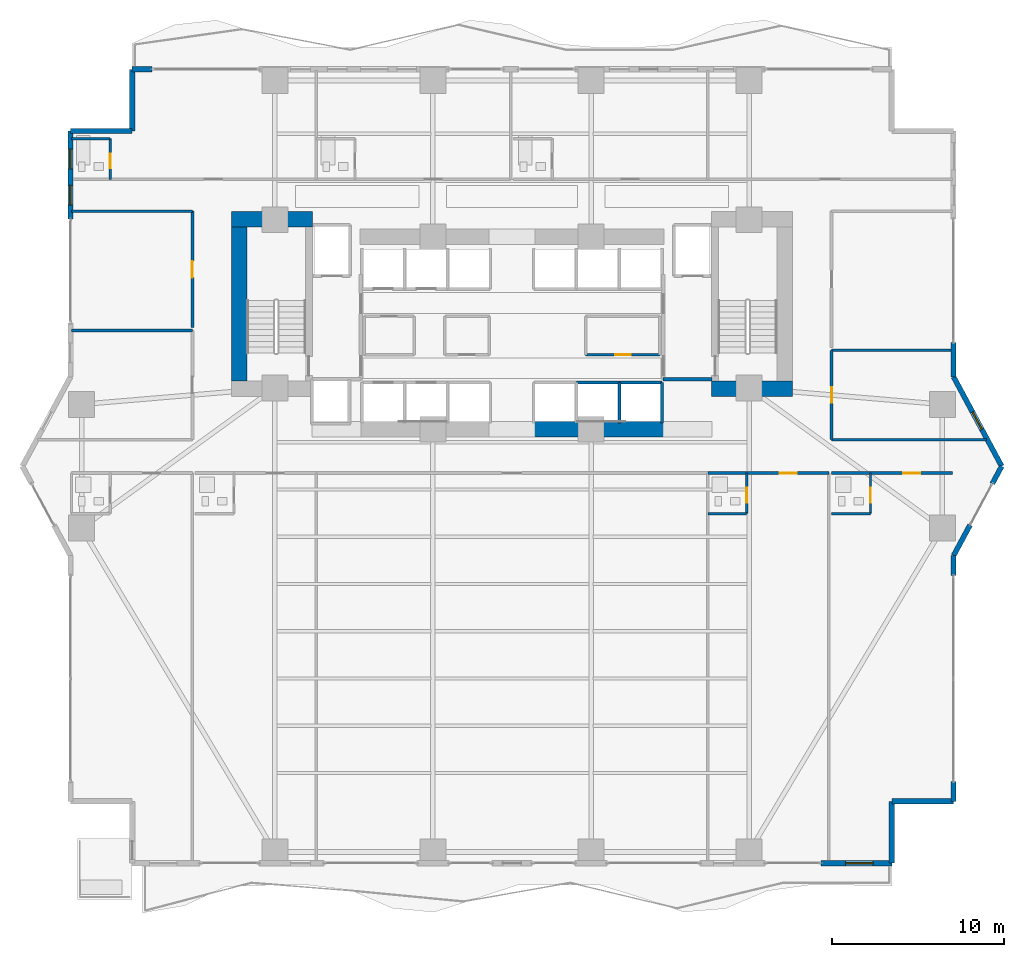
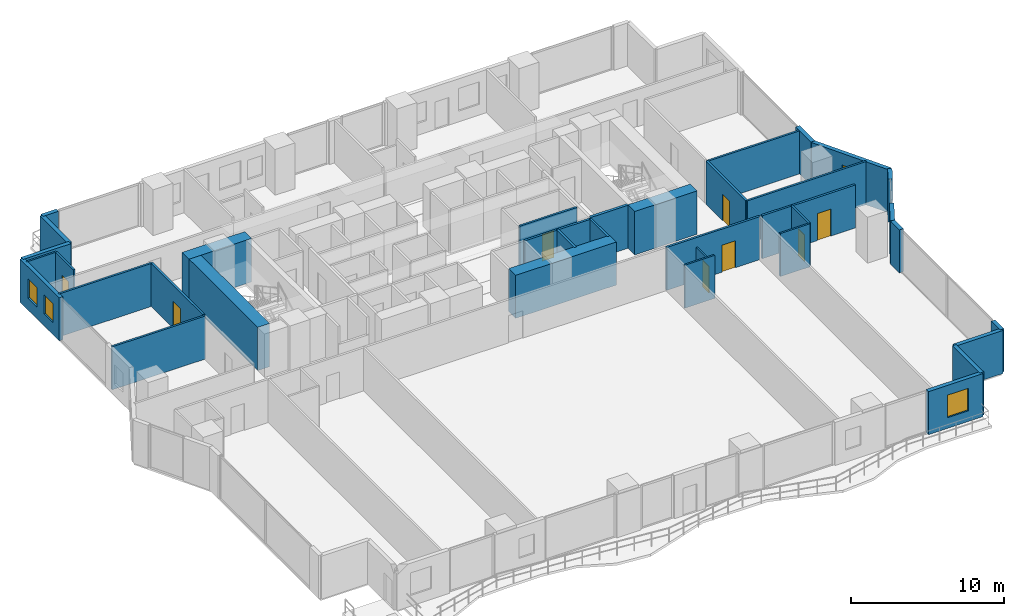
# One storey, part 20 of 28: 37 walls, 8 doors, 4 windows, 12 openings.
"""IFC4 building model written with IfcOpenShell, lengths in metres."""

from ifc_helpers import new_model, si_unit, direction, frame, frame_2d, origin, place, context, subcontext, project, spatial, rectangle, extrude, material, layer, layer_set, type_object, element, fill, save


model = new_model("IFC4")

# Units and contexts
model_context = context("Model", 3, precision=1e-05, world=origin(), true_north=direction((0.0, 1.0)))
body_context = subcontext(model_context, "Body", "Model", "MODEL_VIEW")
ifc_project = project(units=[si_unit("LENGTHUNIT", "METRE"), si_unit("AREAUNIT", "SQUARE_METRE"), si_unit("VOLUMEUNIT", "CUBIC_METRE"), si_unit("PLANEANGLEUNIT", "RADIAN"), si_unit("MASSUNIT", "GRAM", prefix="KILO")], contexts=[model_context])

# Site, building, storey
site_placement = place(None, origin())
site = spatial("IfcSite", under=ifc_project, at=site_placement, CompositionType="ELEMENT")
building_placement = place(site_placement, origin())
building = spatial("IfcBuilding", under=site, at=building_placement, Name="Zuhayl Quay Hotel", CompositionType="ELEMENT")
storey_placement = place(building_placement, frame((0.0, 0.0, 71.39990234375)))
storey = spatial("IfcBuildingStorey", under=building, at=storey_placement, Name="L17", CompositionType="ELEMENT", Elevation=71.39990234375)

# Walls
ifc_material_1 = material(Name="Concrete C70/85", Category="concrete")
ifc_layer_1 = layer(ifc_material_1, 0.89990234375, Name="Concrete C70/85", Category="concrete")
ifc_layer_set_1 = layer_set([ifc_layer_1], Name="Concrete C70/85")
wall_type_1 = type_object("IfcWallType", Name="WL_CORE_900", PredefinedType="SHEAR", material=ifc_layer_set_1)
wall_1_placement = place(storey_placement, frame((-16.31005859375, 14.3798828125, 0.0), z_axis=(0.0, 0.0, 1.0), x_axis=(1.0, 0.0, 0.0)))
element("IfcWall", 1, at=wall_1_placement, inside=storey, type_object=wall_type_1, Name="L17 Core Shear Wall CW_NW", PredefinedType="SHEAR", context=body_context, shape_type="SweptSolid", body=[
    extrude(rectangle(XDim=4.7099609375, YDim=0.89990234375, at=frame_2d((2.35498046875, 0.0))), origin(), (0.0, 0.0, 1.0), 3.460205078125),
])
wall_2_placement = place(storey_placement, frame((-15.860107421875, 4.969970703125, 0.0), z_axis=(0.0, 0.0, 1.0), x_axis=(0.0, 1.0, 0.0)))
element("IfcWall", 2, at=wall_2_placement, inside=storey, type_object=wall_type_1, Name="L17 Core Shear Wall CW_W", PredefinedType="SHEAR", context=body_context, shape_type="SweptSolid", body=[
    extrude(rectangle(XDim=8.9599609375, YDim=0.89990234375, at=frame_2d((4.47998046875, 0.0))), origin(), (0.0, 0.0, 1.0), 3.460205078125),
])
wall_3_placement = place(storey_placement, frame((11.60009765625, 4.52001953125, 0.0), z_axis=(0.0, 0.0, 1.0), x_axis=(1.0, 0.0, 0.0)))
element("IfcWall", 3, at=wall_3_placement, inside=storey, type_object=wall_type_1, Name="L17 Core Shear Wall CW_SE", PredefinedType="SHEAR", context=body_context, shape_type="SweptSolid", body=[
    extrude(rectangle(XDim=4.7099609375, YDim=0.89990234375, at=frame_2d((2.35498046875, 0.0))), origin(), (0.0, 0.0, 1.0), 3.460205078125),
])
wall_4_placement = place(storey_placement, frame((1.25, 2.14990234375, 0.0), z_axis=(0.0, 0.0, 1.0), x_axis=(1.0, 0.0, 0.0)))
element("IfcWall", 4, at=wall_4_placement, inside=storey, type_object=wall_type_1, Name="L17 Core Shear Wall CW_SC_E", PredefinedType="SHEAR", context=body_context, shape_type="SweptSolid", body=[
    extrude(rectangle(XDim=7.60009765625, YDim=0.89990234375, at=frame_2d((3.800048828125, 0.0))), origin(), (0.0, 0.0, 1.0), 3.43017578125),
])

# Wall, openings, windows
ifc_material_2 = material(Name="Precast concrete C45/55", Category="concrete")
ifc_layer_2 = layer(ifc_material_2, 0.300048828125, Name="Precast concrete C45/55", Category="concrete")
ifc_layer_set_2 = layer_set([ifc_layer_2], Name="Precast concrete C45/55")
wall_type_2 = type_object("IfcWallType", Name="WL_EXT_300", PredefinedType="STANDARD", material=ifc_layer_set_2)
wall_5_placement = place(storey_placement, frame((-25.699951171875, 14.39990234375, 0.0), z_axis=(0.0, 0.0, 1.0), x_axis=(0.0, 1.0, 0.0)))
wall_5 = element("IfcWall", 5, at=wall_5_placement, inside=storey, type_object=wall_type_2, Name="L17 Exterior Precast Wall ENV_L17_E05_EW2", PredefinedType="STANDARD", context=body_context, shape_type="SweptSolid", body=[
    extrude(rectangle(XDim=5.10009765625, YDim=0.300048828125, at=frame_2d((2.550048828125, 0.0))), origin(), (0.0, 0.0, 1.0), 3.43017578125),
])
opening_1_placement = place(wall_5_placement, frame((0.800048828125, 0.0, 0.949951171875)))
opening_1 = element("IfcOpeningElement", 6, at=opening_1_placement, cuts=wall_5, Name="Opening W01N", PredefinedType="OPENING", context=body_context, shape_type="SweptSolid", body=[
    extrude(rectangle(XDim=1.14990234375, YDim=1.550048828125, at=frame_2d((0.574951171875, 0.77490234375))), frame((0.0, 0.159912109375, 0.0), z_axis=(0.0, -1.0, 0.0), x_axis=(1.0, 0.0, 0.0)), (0.0, 0.0, 1.0), 0.320068359375),
])
opening_2_placement = place(wall_5_placement, frame((2.905029296875, 0.0, 0.949951171875)))
opening_2 = element("IfcOpeningElement", 7, at=opening_2_placement, cuts=wall_5, Name="Opening W01N", PredefinedType="OPENING", context=body_context, shape_type="SweptSolid", body=[
    extrude(rectangle(XDim=1.14990234375, YDim=1.550048828125, at=frame_2d((0.574951171875, 0.77490234375))), frame((0.0, 0.159912109375, 0.0), z_axis=(0.0, -1.0, 0.0), x_axis=(1.0, 0.0, 0.0)), (0.0, 0.0, 1.0), 0.320068359375),
])
ifc_material_3 = material(Name="Dark Ceramic-Fritted Solar Glass", Category="glass")
window_type_1 = type_object("IfcWindowType", Name="WN_NOTCH_1350", PartitioningType="SINGLE_PANEL", PredefinedType="WINDOW", material=ifc_material_3)
window_1_placement = place(opening_1_placement, origin())
window_1 = element("IfcWindow", 8, at=window_1_placement, inside=storey, type_object=window_type_1, Name="L17 Operable Facade Window 2-1", OverallHeight=1.550048828125, OverallWidth=1.14990234375, PartitioningType="SINGLE_PANEL", PredefinedType="WINDOW", context=body_context, shape_type="SweptSolid", body=[
    extrude(rectangle(XDim=1.14990234375, YDim=1.550048828125, at=frame_2d((0.574951171875, 0.77490234375))), frame((0.0, 0.030029296875, 0.0), z_axis=(0.0, -1.0, 0.0), x_axis=(1.0, 0.0, 0.0)), (0.0, 0.0, 1.0), 0.06005859375),
])
fill(opening_1, window_1)
window_2_placement = place(opening_2_placement, origin())
window_2 = element("IfcWindow", 9, at=window_2_placement, inside=storey, type_object=window_type_1, Name="L17 Operable Facade Window 2-2", OverallHeight=1.550048828125, OverallWidth=1.14990234375, PartitioningType="SINGLE_PANEL", PredefinedType="WINDOW", context=body_context, shape_type="SweptSolid", body=[
    extrude(rectangle(XDim=1.14990234375, YDim=1.550048828125, at=frame_2d((0.574951171875, 0.77490234375))), frame((0.0, 0.030029296875, 0.0), z_axis=(0.0, -1.0, 0.0), x_axis=(1.0, 0.0, 0.0)), (0.0, 0.0, 1.0), 0.06005859375),
])
fill(opening_2, window_2)

# Walls
wall_6_placement = place(storey_placement, frame((-25.699951171875, 19.5, 0.0), z_axis=(0.0, 0.0, 1.0), x_axis=(1.0, 0.0, 0.0)))
element("IfcWall", 10, at=wall_6_placement, inside=storey, type_object=wall_type_2, Name="L17 Exterior Precast Wall ENV_L17_EW06", PredefinedType="STANDARD", context=body_context, shape_type="SweptSolid", body=[
    extrude(rectangle(XDim=3.599853515625, YDim=0.300048828125, at=frame_2d((1.7998046875, 0.0))), origin(), (0.0, 0.0, 1.0), 3.43017578125),
])
wall_7_placement = place(storey_placement, frame((-22.10009765625, 19.5, 0.0), z_axis=(0.0, 0.0, 1.0), x_axis=(0.0, 1.0, 0.0)))
element("IfcWall", 11, at=wall_7_placement, inside=storey, type_object=wall_type_2, Name="L17 Exterior Precast Wall ENV_L17_EW07", PredefinedType="STANDARD", context=body_context, shape_type="SweptSolid", body=[
    extrude(rectangle(XDim=3.60009765625, YDim=0.300048828125, at=frame_2d((1.800048828125, 0.0))), origin(), (0.0, 0.0, 1.0), 3.43017578125),
])
wall_8_placement = place(storey_placement, frame((-22.10009765625, 23.10009765625, 0.0), z_axis=(0.0, 0.0, 1.0), x_axis=(1.0, 0.0, 0.0)))
element("IfcWall", 12, at=wall_8_placement, inside=storey, type_object=wall_type_2, Name="L17 Exterior Precast Wall ENV_L17_N_EW1", PredefinedType="STANDARD", context=body_context, shape_type="SweptSolid", body=[
    extrude(rectangle(XDim=1.150146484375, YDim=0.300048828125, at=frame_2d((0.5751953125, 0.0))), origin(), (0.0, 0.0, 1.0), 3.43017578125),
])
wall_9_placement = place(storey_placement, frame((25.699951171875, 7.199951171875, 0.0), z_axis=(0.0, 0.0, 1.0), x_axis=(0.0, -1.0, 0.0)))
element("IfcWall", 13, at=wall_9_placement, inside=storey, type_object=wall_type_2, Name="L17 Exterior Precast Wall ENV_L17_E11_EW2", PredefinedType="STANDARD", context=body_context, shape_type="SweptSolid", body=[
    extrude(rectangle(XDim=2.0, YDim=0.300048828125, at=frame_2d((1.0, 0.0))), origin(), (0.0, 0.0, 1.0), 3.43017578125),
])

# Wall, opening, window
wall_10_placement = place(storey_placement, frame((25.699951171875, 5.199951171875, 0.0), z_axis=(0.0, 0.0, 1.0), x_axis=(0.474109683532, -0.880465790352, 0.0)))
wall_10 = element("IfcWall", 14, at=wall_10_placement, inside=storey, type_object=wall_type_2, Name="L17 Exterior Precast Wall ENV_L17_E12_EW1", PredefinedType="STANDARD", context=body_context, shape_type="SweptSolid", body=[
    extrude(rectangle(XDim=5.906005859375, YDim=0.300048828125, at=frame_2d((2.953125, 0.0))), origin(), (0.0, 0.0, 1.0), 3.43017578125),
])
opening_3_placement = place(wall_10_placement, frame((2.32373046875, 0.0, 0.949951171875)))
opening_3 = element("IfcOpeningElement", 15, at=opening_3_placement, cuts=wall_10, Name="Opening W01N", PredefinedType="OPENING", context=body_context, shape_type="SweptSolid", body=[
    extrude(rectangle(XDim=1.14990234375, YDim=1.550048828125, at=frame_2d((0.574951171875, 0.77490234375))), frame((0.0, 0.159912109375, 0.0), z_axis=(0.0, -1.0, 0.0), x_axis=(1.0, 0.0, 0.0)), (0.0, 0.0, 1.0), 0.320068359375),
])
window_3_placement = place(opening_3_placement, origin())
window_3 = element("IfcWindow", 16, at=window_3_placement, inside=storey, type_object=window_type_1, Name="L17 Operable Facade Window 1-1", OverallHeight=1.550048828125, OverallWidth=1.14990234375, PartitioningType="SINGLE_PANEL", PredefinedType="WINDOW", context=body_context, shape_type="SweptSolid", body=[
    extrude(rectangle(XDim=1.14990234375, YDim=1.550048828125, at=frame_2d((0.574951171875, 0.77490234375))), frame((0.0, 0.030029296875, 0.0), z_axis=(0.0, -1.0, 0.0), x_axis=(1.0, 0.0, 0.0)), (0.0, 0.0, 1.0), 0.06005859375),
])
fill(opening_3, window_3)

# Walls
wall_11_placement = place(storey_placement, frame((28.5, 0.0, 0.0), z_axis=(0.0, 0.0, 1.0), x_axis=(-0.474099823035, -0.880471099922, 0.0)))
element("IfcWall", 17, at=wall_11_placement, inside=storey, type_object=wall_type_2, Name="L17 Exterior Precast Wall ENV_L17_E13_EW1", PredefinedType="STANDARD", context=body_context, shape_type="SweptSolid", body=[
    extrude(rectangle(XDim=1.14990234375, YDim=0.300048828125, at=frame_2d((0.574951171875, 0.0))), origin(), (0.0, 0.0, 1.0), 3.43017578125),
])
wall_12_placement = place(storey_placement, frame((26.657958984375, -3.4208984375, 0.0), z_axis=(0.0, 0.0, 1.0), x_axis=(-0.474121438562, -0.88045946045, 0.0)))
element("IfcWall", 18, at=wall_12_placement, inside=storey, type_object=wall_type_2, Name="L17 Exterior Precast Wall ENV_L17_E13_EW2", PredefinedType="STANDARD", context=body_context, shape_type="SweptSolid", body=[
    extrude(rectangle(XDim=2.0205078125, YDim=0.300048828125, at=frame_2d((1.01025390625, 0.0))), origin(), (0.0, 0.0, 1.0), 3.43017578125),
])
wall_13_placement = place(storey_placement, frame((25.699951171875, -5.199951171875, 0.0), z_axis=(0.0, 0.0, 1.0), x_axis=(0.0, -1.0, 0.0)))
element("IfcWall", 19, at=wall_13_placement, inside=storey, type_object=wall_type_2, Name="L17 Exterior Precast Wall ENV_L17_E14_EW1", PredefinedType="STANDARD", context=body_context, shape_type="SweptSolid", body=[
    extrude(rectangle(XDim=1.150146484375, YDim=0.300048828125, at=frame_2d((0.5751953125, 0.0))), origin(), (0.0, 0.0, 1.0), 3.43017578125),
])
wall_14_placement = place(storey_placement, frame((25.699951171875, -18.35009765625, 0.0), z_axis=(0.0, 0.0, 1.0), x_axis=(0.0, -1.0, 0.0)))
element("IfcWall", 20, at=wall_14_placement, inside=storey, type_object=wall_type_2, Name="L17 Exterior Precast Wall ENV_L17_E14_EW2", PredefinedType="STANDARD", context=body_context, shape_type="SweptSolid", body=[
    extrude(rectangle(XDim=1.14990234375, YDim=0.300048828125, at=frame_2d((0.574951171875, 0.0))), origin(), (0.0, 0.0, 1.0), 3.43017578125),
])
wall_15_placement = place(storey_placement, frame((25.699951171875, -19.5, 0.0), z_axis=(0.0, 0.0, 1.0), x_axis=(-1.0, 0.0, 0.0)))
element("IfcWall", 21, at=wall_15_placement, inside=storey, type_object=wall_type_2, Name="L17 Exterior Precast Wall ENV_L17_EW15", PredefinedType="STANDARD", context=body_context, shape_type="SweptSolid", body=[
    extrude(rectangle(XDim=3.599853515625, YDim=0.300048828125, at=frame_2d((1.7998046875, 0.0))), origin(), (0.0, 0.0, 1.0), 3.43017578125),
])
wall_16_placement = place(storey_placement, frame((22.10009765625, -19.5, 0.0), z_axis=(0.0, 0.0, 1.0), x_axis=(0.0, -1.0, 0.0)))
element("IfcWall", 22, at=wall_16_placement, inside=storey, type_object=wall_type_2, Name="L17 Exterior Precast Wall ENV_L17_EW16", PredefinedType="STANDARD", context=body_context, shape_type="SweptSolid", body=[
    extrude(rectangle(XDim=3.60009765625, YDim=0.300048828125, at=frame_2d((1.800048828125, 0.0))), origin(), (0.0, 0.0, 1.0), 3.43017578125),
])

# Wall, opening, window
wall_17_placement = place(storey_placement, frame((22.10009765625, -23.10009765625, 0.0), z_axis=(0.0, 0.0, 1.0), x_axis=(-1.0, 0.0, 0.0)))
wall_17 = element("IfcWall", 23, at=wall_17_placement, inside=storey, type_object=wall_type_2, Name="L17 Exterior Precast Wall ENV_L17_S_EW1", PredefinedType="STANDARD", context=body_context, shape_type="SweptSolid", body=[
    extrude(rectangle(XDim=4.110107421875, YDim=0.300048828125, at=frame_2d((2.05517578125, 0.0))), origin(), (0.0, 0.0, 1.0), 3.43017578125),
])
opening_4_placement = place(wall_17_placement, frame((1.090087890625, 0.0, 0.85009765625)))
opening_4 = element("IfcOpeningElement", 24, at=opening_4_placement, cuts=wall_17, Name="Opening W01", PredefinedType="OPENING", context=body_context, shape_type="SweptSolid", body=[
    extrude(rectangle(XDim=1.60009765625, YDim=1.800048828125, at=frame_2d((0.800048828125, 0.89990234375))), frame((0.0, 0.159912109375, 0.0), z_axis=(0.0, -1.0, 0.0), x_axis=(1.0, 0.0, 0.0)), (0.0, 0.0, 1.0), 0.320068359375),
])
window_type_2 = type_object("IfcWindowType", Name="WN_OPERABLE_1600", PartitioningType="DOUBLE_PANEL_VERTICAL", PredefinedType="WINDOW", material=ifc_material_3)
window_4_placement = place(opening_4_placement, origin())
window_4 = element("IfcWindow", 25, at=window_4_placement, inside=storey, type_object=window_type_2, Name="L17 Operable Facade Window 1-1", OverallHeight=1.800048828125, OverallWidth=1.60009765625, PartitioningType="SINGLE_PANEL", PredefinedType="WINDOW", context=body_context, shape_type="SweptSolid", body=[
    extrude(rectangle(XDim=1.60009765625, YDim=1.800048828125, at=frame_2d((0.800048828125, 0.89990234375))), frame((0.0, 0.030029296875, 0.0), z_axis=(0.0, -1.0, 0.0), x_axis=(1.0, 0.0, 0.0)), (0.0, 0.0, 1.0), 0.06005859375),
])
fill(opening_4, window_4)

# Wall, opening, door
ifc_material_4 = material(Name="Acoustic Gypsum Partition STC-58")
ifc_layer_3 = layer(ifc_material_4, 0.14990234375, Name="Acoustic Gypsum Partition STC-58")
ifc_layer_set_3 = layer_set([ifc_layer_3], Name="Acoustic Gypsum Partition STC-58")
wall_type_3 = type_object("IfcWallType", Name="WL_PART_150", PredefinedType="PARTITIONING", material=ifc_layer_set_3)
wall_18_placement = place(storey_placement, frame((4.2900390625, 6.47998046875, 0.0), z_axis=(0.0, 0.0, 1.0), x_axis=(1.0, 0.0, 0.0)))
wall_18 = element("IfcWall", 26, at=wall_18_placement, inside=storey, type_object=wall_type_3, Name="L17 Partition IW_L17_CORE_VL_S", PredefinedType="PARTITIONING", context=body_context, shape_type="SweptSolid", body=[
    extrude(rectangle(XDim=4.320068359375, YDim=0.14990234375, at=frame_2d((2.16015625, 0.0))), origin(), (0.0, 0.0, 1.0), 3.43017578125),
])
opening_5_placement = place(wall_18_placement, frame((1.7099609375, 0.0, 0.0)))
opening_5 = element("IfcOpeningElement", 27, at=opening_5_placement, cuts=wall_18, Name="Opening D06", PredefinedType="OPENING", context=body_context, shape_type="SweptSolid", body=[
    extrude(rectangle(XDim=0.89990234375, YDim=2.14990234375, at=frame_2d((0.449951171875, 1.074951171875))), frame((0.0, 0.0849609375, 0.0), z_axis=(0.0, -1.0, 0.0), x_axis=(1.0, 0.0, 0.0)), (0.0, 0.0, 1.0), 0.169921875),
])
ifc_material_5 = material(Name="Steel ASTM A992 Grade 50", Category="steel")
door_type_1 = type_object("IfcDoorType", Name="DR_INT_900", OperationType="NOTDEFINED", PredefinedType="DOOR", material=ifc_material_5)
door_1_placement = place(opening_5_placement, origin())
door_1 = element("IfcDoor", 28, at=door_1_placement, inside=storey, type_object=door_type_1, Name="L17 Floor Valet Store Door", OperationType="SINGLE_SWING_RIGHT", OverallHeight=2.14990234375, OverallWidth=0.89990234375, PredefinedType="DOOR", context=body_context, shape_type="SweptSolid", body=[
    extrude(rectangle(XDim=0.89990234375, YDim=2.14990234375, at=frame_2d((0.449951171875, 1.074951171875))), frame((0.0, 0.02490234375, 0.0), z_axis=(0.0, -1.0, 0.0), x_axis=(1.0, 0.0, 0.0)), (0.0, 0.0, 1.0), 0.050048828125),
])
fill(opening_5, door_1)

# Walls
wall_19_placement = place(storey_placement, frame((18.60009765625, 1.550048828125, 0.0), z_axis=(0.0, 0.0, 1.0), x_axis=(1.0, 0.0, 0.0)))
element("IfcWall", 29, at=wall_19_placement, inside=storey, type_object=wall_type_3, Name="L17 Partition IW_L17_HK_MAIN_S", PredefinedType="PARTITIONING", context=body_context, shape_type="SweptSolid", body=[
    extrude(rectangle(XDim=9.00537109375, YDim=0.14990234375, at=frame_2d((4.502685546875, 0.0))), origin(), (0.0, 0.0, 1.0), 3.43017578125),
])
for number, where, z_axis, x_axis, name in (
    (30, (18.60009765625, 6.75, 0.0), (0.0, 0.0, 1.0), (1.0, 0.0, 0.0), "L17 Partition IW_L17_HK_MAIN_N"),
    (31, (-25.639892578125, 7.89990234375, 0.0), (0.0, 0.0, 1.0), (1.0, 0.0, 0.0), "L17 Partition IW_L17_WPROW_1_N"),
    (32, (-25.639892578125, 14.85009765625, 0.0), (0.0, 0.0, 1.0), (1.0, 0.0, 0.0), "L17 Partition IW_L17_WPROW_2_N"),
):
    element("IfcWall", number, at=place(storey_placement, frame(where, z_axis=z_axis, x_axis=x_axis)), inside=storey, type_object=wall_type_3, Name=name, PredefinedType="PARTITIONING", context=body_context, shape_type="SweptSolid", body=[
        extrude(rectangle(XDim=7.039794921875, YDim=0.14990234375, at=frame_2d((3.52001953125, 0.0))), origin(), (0.0, 0.0, 1.0), 3.43017578125),
    ])

# Wall, opening, door
ifc_layer_4 = layer(ifc_material_4, 0.159912109375, Name="Acoustic Gypsum Partition STC-58")
ifc_layer_set_4 = layer_set([ifc_layer_4], Name="Acoustic Gypsum Partition STC-58")
wall_type_4 = type_object("IfcWallType", Name="WL_PART_CORR_160", PredefinedType="PARTITIONING", material=ifc_layer_set_4)
wall_20_placement = place(storey_placement, frame((11.39990234375, -0.39990234375, 0.0), z_axis=(0.0, 0.0, 1.0), x_axis=(1.0, 0.0, 0.0)))
wall_20 = element("IfcWall", 33, at=wall_20_placement, inside=storey, type_object=wall_type_4, Name="L17 Partition IW_L17_SU03A_COR", PredefinedType="PARTITIONING", context=body_context, shape_type="SweptSolid", body=[
    extrude(rectangle(XDim=7.0400390625, YDim=0.159912109375, at=frame_2d((3.52001953125, 0.0))), origin(), (0.0, 0.0, 1.0), 3.43017578125),
])
opening_6_placement = place(wall_20_placement, frame((4.169921875, 0.0, 0.0)))
opening_6 = element("IfcOpeningElement", 34, at=opening_6_placement, cuts=wall_20, Name="Opening D03L", PredefinedType="OPENING", context=body_context, shape_type="SweptSolid", body=[
    extrude(rectangle(XDim=1.0, YDim=2.14990234375, at=frame_2d((0.5, 1.074951171875))), frame((0.0, 0.08984375, 0.0), z_axis=(0.0, -1.0, 0.0), x_axis=(1.0, 0.0, 0.0)), (0.0, 0.0, 1.0), 0.179931640625),
])
ifc_material_6 = material(Name="Solid Walnut Acoustic Fire Door")
door_type_2 = type_object("IfcDoorType", Name="DR_SUITE_1000", OperationType="NOTDEFINED", PredefinedType="DOOR", material=ifc_material_6)
door_2_placement = place(opening_6_placement, origin())
door_2 = element("IfcDoor", 35, at=door_2_placement, inside=storey, type_object=door_type_2, Name="L17 City-View Junior Suite L17-03A Entrance Door", OperationType="SINGLE_SWING_RIGHT", OverallHeight=2.14990234375, OverallWidth=1.0, PredefinedType="DOOR", context=body_context, shape_type="SweptSolid", body=[
    extrude(rectangle(XDim=1.0, YDim=2.14990234375, at=frame_2d((0.5, 1.074951171875))), frame((0.0, 0.02490234375, 0.0), z_axis=(0.0, -1.0, 0.0), x_axis=(1.0, 0.0, 0.0)), (0.0, 0.0, 1.0), 0.050048828125),
])
fill(opening_6, door_2)

wall_21_placement = place(storey_placement, frame((18.60009765625, -0.39990234375, 0.0), z_axis=(0.0, 0.0, 1.0), x_axis=(1.0, 0.0, 0.0)))
wall_21 = element("IfcWall", 36, at=wall_21_placement, inside=storey, type_object=wall_type_4, Name="L17 Partition IW_L17_SU03B_COR", PredefinedType="PARTITIONING", context=body_context, shape_type="SweptSolid", body=[
    extrude(rectangle(XDim=7.039794921875, YDim=0.159912109375, at=frame_2d((3.52001953125, 0.0))), origin(), (0.0, 0.0, 1.0), 3.43017578125),
])
opening_7_placement = place(wall_21_placement, frame((4.169921875, 0.0, 0.0)))
opening_7 = element("IfcOpeningElement", 37, at=opening_7_placement, cuts=wall_21, Name="Opening D03L", PredefinedType="OPENING", context=body_context, shape_type="SweptSolid", body=[
    extrude(rectangle(XDim=1.0, YDim=2.14990234375, at=frame_2d((0.5, 1.074951171875))), frame((0.0, 0.08984375, 0.0), z_axis=(0.0, -1.0, 0.0), x_axis=(1.0, 0.0, 0.0)), (0.0, 0.0, 1.0), 0.179931640625),
])
door_3_placement = place(opening_7_placement, origin())
door_3 = element("IfcDoor", 38, at=door_3_placement, inside=storey, type_object=door_type_2, Name="L17 City-View Junior Suite L17-03B Entrance Door", OperationType="SINGLE_SWING_RIGHT", OverallHeight=2.14990234375, OverallWidth=1.0, PredefinedType="DOOR", context=body_context, shape_type="SweptSolid", body=[
    extrude(rectangle(XDim=1.0, YDim=2.14990234375, at=frame_2d((0.5, 1.074951171875))), frame((0.0, 0.02490234375, 0.0), z_axis=(0.0, -1.0, 0.0), x_axis=(1.0, 0.0, 0.0)), (0.0, 0.0, 1.0), 0.050048828125),
])
fill(opening_7, door_3)

wall_22_placement = place(storey_placement, frame((18.60009765625, 1.550048828125, 0.0), z_axis=(0.0, 0.0, 1.0), x_axis=(0.0, 1.0, 0.0)))
wall_22 = element("IfcWall", 39, at=wall_22_placement, inside=storey, type_object=wall_type_4, Name="L17 Partition IW_L17_HK_MAIN_W", PredefinedType="PARTITIONING", context=body_context, shape_type="SweptSolid", body=[
    extrude(rectangle(XDim=5.199951171875, YDim=0.159912109375, at=frame_2d((2.60009765625, 0.0))), origin(), (0.0, 0.0, 1.0), 3.43017578125),
])
opening_8_placement = place(wall_22_placement, frame((2.139892578125, 0.0, 0.0)))
opening_8 = element("IfcOpeningElement", 40, at=opening_8_placement, cuts=wall_22, Name="Opening D05", PredefinedType="OPENING", context=body_context, shape_type="SweptSolid", body=[
    extrude(rectangle(XDim=0.919921875, YDim=2.1201171875, at=frame_2d((0.4599609375, 1.06005859375))), frame((0.0, 0.08984375, 0.0), z_axis=(0.0, -1.0, 0.0), x_axis=(1.0, 0.0, 0.0)), (0.0, 0.0, 1.0), 0.179931640625),
])
door_type_3 = type_object("IfcDoorType", Name="DR_INT_950", OperationType="NOTDEFINED", PredefinedType="DOOR", material=ifc_material_6)
door_4_placement = place(opening_8_placement, origin())
door_4 = element("IfcDoor", 41, at=door_4_placement, inside=storey, type_object=door_type_3, Name="L17 Housekeeping and Linen Room Door", OperationType="SINGLE_SWING_LEFT", OverallHeight=2.1201171875, OverallWidth=0.919921875, PredefinedType="DOOR", context=body_context, shape_type="SweptSolid", body=[
    extrude(rectangle(XDim=0.919921875, YDim=2.1201171875, at=frame_2d((0.4599609375, 1.06005859375))), frame((0.0, 0.02490234375, 0.0), z_axis=(0.0, -1.0, 0.0), x_axis=(1.0, 0.0, 0.0)), (0.0, 0.0, 1.0), 0.050048828125),
])
fill(opening_8, door_4)

wall_23_placement = place(storey_placement, frame((-18.60009765625, 8.06005859375, 0.0), z_axis=(0.0, 0.0, 1.0), x_axis=(0.0, 1.0, 0.0)))
wall_23 = element("IfcWall", 42, at=wall_23_placement, inside=storey, type_object=wall_type_4, Name="L17 Partition IW_L17_WPROW_2_E", PredefinedType="PARTITIONING", context=body_context, shape_type="SweptSolid", body=[
    extrude(rectangle(XDim=6.7900390625, YDim=0.159912109375, at=frame_2d((3.39501953125, 0.0))), origin(), (0.0, 0.0, 1.0), 3.43017578125),
])
opening_9_placement = place(wall_23_placement, frame((2.919921875, 0.0, 0.0)))
opening_9 = element("IfcOpeningElement", 43, at=opening_9_placement, cuts=wall_23, Name="Opening D03", PredefinedType="OPENING", context=body_context, shape_type="SweptSolid", body=[
    extrude(rectangle(XDim=0.949951171875, YDim=2.14990234375, at=frame_2d((0.47509765625, 1.074951171875))), frame((0.0, 0.08984375, 0.0), z_axis=(0.0, -1.0, 0.0), x_axis=(1.0, 0.0, 0.0)), (0.0, 0.0, 1.0), 0.179931640625),
])
door_type_4 = type_object("IfcDoorType", Name="DR_SUITE_950", OperationType="NOTDEFINED", PredefinedType="DOOR", material=ifc_material_6)
door_5_placement = place(opening_9_placement, origin())
door_5 = element("IfcDoor", 44, at=door_5_placement, inside=storey, type_object=door_type_4, Name="L17 Sunset Lounge L17 Door", OperationType="SINGLE_SWING_RIGHT", OverallHeight=2.14990234375, OverallWidth=0.949951171875, PredefinedType="DOOR", context=body_context, shape_type="SweptSolid", body=[
    extrude(rectangle(XDim=0.949951171875, YDim=2.14990234375, at=frame_2d((0.47509765625, 1.074951171875))), frame((0.0, 0.02490234375, 0.0), z_axis=(0.0, -1.0, 0.0), x_axis=(1.0, 0.0, 0.0)), (0.0, 0.0, 1.0), 0.050048828125),
])
fill(opening_9, door_5)

ifc_material_7 = material(Name="Moisture-Resistant Sanitarychase Gypsum")
ifc_layer_5 = layer(ifc_material_7, 0.135009765625, Name="Moisture-Resistant Sanitarychase Gypsum")
ifc_layer_set_5 = layer_set([ifc_layer_5], Name="Moisture-Resistant Sanitarychase Gypsum")
wall_type_5 = type_object("IfcWallType", Name="WL_PART_PLUMB_150", PredefinedType="PLUMBINGWALL", material=ifc_layer_set_5)
wall_24_placement = place(storey_placement, frame((-23.3798828125, 16.699951171875, 0.0), z_axis=(0.0, 0.0, 1.0), x_axis=(0.0, 1.0, 0.0)))
wall_24 = element("IfcWall", 45, at=wall_24_placement, inside=storey, type_object=wall_type_5, Name="L17 Partition IW_L17_NU01_BE", PredefinedType="PLUMBINGWALL", context=body_context, shape_type="SweptSolid", body=[
    extrude(rectangle(XDim=2.360107421875, YDim=0.135009765625, at=frame_2d((1.18017578125, 0.0))), origin(), (0.0, 0.0, 1.0), 3.43017578125),
])
opening_10_placement = place(wall_24_placement, frame((0.64990234375, 0.0, 0.0)))
opening_10 = element("IfcOpeningElement", 46, at=opening_10_placement, cuts=wall_24, Name="Opening D04", PredefinedType="OPENING", context=body_context, shape_type="SweptSolid", body=[
    extrude(rectangle(XDim=0.85009765625, YDim=2.10009765625, at=frame_2d((0.425048828125, 1.050048828125))), frame((0.0, 0.077392578125, 0.0), z_axis=(0.0, -1.0, 0.0), x_axis=(1.0, 0.0, 0.0)), (0.0, 0.0, 1.0), 0.155029296875),
])
ifc_material_8 = material(Name="Moisture-Resistant Walnut Veneer")
door_type_5 = type_object("IfcDoorType", Name="DR_BATH_850", OperationType="NOTDEFINED", PredefinedType="DOOR", material=ifc_material_8)
door_6_placement = place(opening_10_placement, origin())
door_6 = element("IfcDoor", 47, at=door_6_placement, inside=storey, type_object=door_type_5, Name="L17 Deluxe Gulf Guest Room L17-01 En-Suite Door", OperationType="SINGLE_SWING_LEFT", OverallHeight=2.10009765625, OverallWidth=0.85009765625, PredefinedType="DOOR", context=body_context, shape_type="SweptSolid", body=[
    extrude(rectangle(XDim=0.85009765625, YDim=2.10009765625, at=frame_2d((0.425048828125, 1.050048828125))), frame((0.0, 0.02490234375, 0.0), z_axis=(0.0, -1.0, 0.0), x_axis=(1.0, 0.0, 0.0)), (0.0, 0.0, 1.0), 0.050048828125),
])
fill(opening_10, door_6)

wall_25_placement = place(storey_placement, frame((13.659912109375, -2.760009765625, 0.0), z_axis=(0.0, 0.0, 1.0), x_axis=(0.0, 1.0, 0.0)))
wall_25 = element("IfcWall", 48, at=wall_25_placement, inside=storey, type_object=wall_type_5, Name="L17 Partition IW_L17_SU03A_BE", PredefinedType="PLUMBINGWALL", context=body_context, shape_type="SweptSolid", body=[
    extrude(rectangle(XDim=2.360107421875, YDim=0.135009765625, at=frame_2d((1.18017578125, 0.0))), origin(), (0.0, 0.0, 1.0), 2.668212890625),
])
opening_11_placement = place(wall_25_placement, frame((0.64990234375, 0.0, 0.0)))
opening_11 = element("IfcOpeningElement", 49, at=opening_11_placement, cuts=wall_25, Name="Opening D04", PredefinedType="OPENING", context=body_context, shape_type="SweptSolid", body=[
    extrude(rectangle(XDim=0.85009765625, YDim=2.10009765625, at=frame_2d((0.425048828125, 1.050048828125))), frame((0.0, 0.077392578125, 0.0), z_axis=(0.0, -1.0, 0.0), x_axis=(1.0, 0.0, 0.0)), (0.0, 0.0, 1.0), 0.155029296875),
])
door_7_placement = place(opening_11_placement, origin())
door_7 = element("IfcDoor", 50, at=door_7_placement, inside=storey, type_object=door_type_5, Name="L17 City-View Junior Suite L17-03A En-Suite Door", OperationType="SINGLE_SWING_LEFT", OverallHeight=2.10009765625, OverallWidth=0.85009765625, PredefinedType="DOOR", context=body_context, shape_type="SweptSolid", body=[
    extrude(rectangle(XDim=0.85009765625, YDim=2.10009765625, at=frame_2d((0.425048828125, 1.050048828125))), frame((0.0, 0.02490234375, 0.0), z_axis=(0.0, -1.0, 0.0), x_axis=(1.0, 0.0, 0.0)), (0.0, 0.0, 1.0), 0.050048828125),
])
fill(opening_11, door_7)

wall_26_placement = place(storey_placement, frame((20.860107421875, -2.760009765625, 0.0), z_axis=(0.0, 0.0, 1.0), x_axis=(0.0, 1.0, 0.0)))
wall_26 = element("IfcWall", 51, at=wall_26_placement, inside=storey, type_object=wall_type_5, Name="L17 Partition IW_L17_SU03B_BE", PredefinedType="PLUMBINGWALL", context=body_context, shape_type="SweptSolid", body=[
    extrude(rectangle(XDim=2.360107421875, YDim=0.135009765625, at=frame_2d((1.18017578125, 0.0))), origin(), (0.0, 0.0, 1.0), 3.43017578125),
])
opening_12_placement = place(wall_26_placement, frame((0.64990234375, 0.0, 0.0)))
opening_12 = element("IfcOpeningElement", 52, at=opening_12_placement, cuts=wall_26, Name="Opening D04", PredefinedType="OPENING", context=body_context, shape_type="SweptSolid", body=[
    extrude(rectangle(XDim=0.85009765625, YDim=2.10009765625, at=frame_2d((0.425048828125, 1.050048828125))), frame((0.0, 0.077392578125, 0.0), z_axis=(0.0, -1.0, 0.0), x_axis=(1.0, 0.0, 0.0)), (0.0, 0.0, 1.0), 0.155029296875),
])
door_8_placement = place(opening_12_placement, origin())
door_8 = element("IfcDoor", 53, at=door_8_placement, inside=storey, type_object=door_type_5, Name="L17 City-View Junior Suite L17-03B En-Suite Door", OperationType="SINGLE_SWING_LEFT", OverallHeight=2.10009765625, OverallWidth=0.85009765625, PredefinedType="DOOR", context=body_context, shape_type="SweptSolid", body=[
    extrude(rectangle(XDim=0.85009765625, YDim=2.10009765625, at=frame_2d((0.425048828125, 1.050048828125))), frame((0.0, 0.02490234375, 0.0), z_axis=(0.0, -1.0, 0.0), x_axis=(1.0, 0.0, 0.0)), (0.0, 0.0, 1.0), 0.050048828125),
])
fill(opening_12, door_8)

# Walls
for number, where, z_axis, x_axis, name in (
    (54, (-25.639892578125, 19.06005859375, 0.0), (0.0, 0.0, 1.0), (1.0, 0.0, 0.0), "L17 Partition IW_L17_NU01_BN"),
    (55, (11.39990234375, -2.760009765625, 0.0), (0.0, 0.0, 1.0), (1.0, 0.0, 0.0), "L17 Partition IW_L17_SU03A_BS"),
    (56, (18.60009765625, -2.760009765625, 0.0), (0.0, 0.0, 1.0), (1.0, 0.0, 0.0), "L17 Partition IW_L17_SU03B_BS"),
):
    element("IfcWall", number, at=place(storey_placement, frame(where, z_axis=z_axis, x_axis=x_axis)), inside=storey, type_object=wall_type_5, Name=name, PredefinedType="PLUMBINGWALL", context=body_context, shape_type="SweptSolid", body=[
        extrude(rectangle(XDim=2.260009765625, YDim=0.135009765625, at=frame_2d((1.1298828125, 0.0))), origin(), (0.0, 0.0, 1.0), 3.43017578125),
    ])
ifc_material_9 = material(Name="Gypsum Fireboard Assembly EI-90")
ifc_layer_6 = layer(ifc_material_9, 0.1650390625, Name="Gypsum Fireboard Assembly EI-90")
ifc_layer_set_6 = layer_set([ifc_layer_6], Name="Gypsum Fireboard Assembly EI-90")
wall_type_6 = type_object("IfcWallType", Name="WL_PART_SHAFT_160", PredefinedType="PARTITIONING", material=ifc_layer_set_6)
wall_27_placement = place(storey_placement, frame((3.75, 4.8798828125, 0.0), z_axis=(0.0, 0.0, 1.0), x_axis=(1.0, 0.0, 0.0)))
element("IfcWall", 57, at=wall_27_placement, inside=storey, type_object=wall_type_6, Name="L17 Partition IW_L17_SH_HP1_F", PredefinedType="PARTITIONING", context=body_context, shape_type="SweptSolid", body=[
    extrude(rectangle(XDim=2.5, YDim=0.1650390625, at=frame_2d((1.25, 0.0))), origin(), (0.0, 0.0, 1.0), 3.43017578125),
])
wall_28_placement = place(storey_placement, frame((6.25, 2.52001953125, 0.0), z_axis=(0.0, 0.0, 1.0), x_axis=(0.0, 1.0, 0.0)))
element("IfcWall", 58, at=wall_28_placement, inside=storey, type_object=wall_type_6, Name="L17 Partition IW_L17_SH_HP1_E", PredefinedType="PARTITIONING", context=body_context, shape_type="SweptSolid", body=[
    extrude(rectangle(XDim=2.35986328125, YDim=0.1650390625, at=frame_2d((1.179931640625, 0.0))), origin(), (0.0, 0.0, 1.0), 3.43017578125),
])
wall_29_placement = place(storey_placement, frame((6.25, 4.8798828125, 0.0), z_axis=(0.0, 0.0, 1.0), x_axis=(1.0, 0.0, 0.0)))
element("IfcWall", 59, at=wall_29_placement, inside=storey, type_object=wall_type_6, Name="L17 Partition IW_L17_SH_HP2_F", PredefinedType="PARTITIONING", context=body_context, shape_type="SweptSolid", body=[
    extrude(rectangle(XDim=2.47998046875, YDim=0.1650390625, at=frame_2d((1.239990234375, 0.0))), origin(), (0.0, 0.0, 1.0), 3.43017578125),
])
wall_30_placement = place(storey_placement, frame((8.72998046875, 2.52001953125, 0.0), z_axis=(0.0, 0.0, 1.0), x_axis=(0.0, 1.0, 0.0)))
element("IfcWall", 60, at=wall_30_placement, inside=storey, type_object=wall_type_6, Name="L17 Partition IW_L17_SH_HP2_E", PredefinedType="PARTITIONING", context=body_context, shape_type="SweptSolid", body=[
    extrude(rectangle(XDim=2.35986328125, YDim=0.1650390625, at=frame_2d((1.179931640625, 0.0))), origin(), (0.0, 0.0, 1.0), 3.43017578125),
])
ifc_material_10 = material(Name="Gypsum Fireboard Assembly EI-120")
ifc_layer_7 = layer(ifc_material_10, 0.199951171875, Name="Gypsum Fireboard Assembly EI-120")
ifc_layer_set_7 = layer_set([ifc_layer_7], Name="Gypsum Fireboard Assembly EI-120")
wall_type_7 = type_object("IfcWallType", Name="WL_PART_SHAFT_200", PredefinedType="PARTITIONING", material=ifc_layer_set_7)
wall_31_placement = place(storey_placement, frame((8.800048828125, 5.050048828125, 0.0), z_axis=(0.0, 0.0, 1.0), x_axis=(1.0, 0.0, 0.0)))
element("IfcWall", 61, at=wall_31_placement, inside=storey, type_object=wall_type_7, Name="L17 Partition IW_L17_FSAE_E_S", PredefinedType="PARTITIONING", context=body_context, shape_type="SweptSolid", body=[
    extrude(rectangle(XDim=2.849853515625, YDim=0.199951171875, at=frame_2d((1.4248046875, 0.0))), origin(), (0.0, 0.0, 1.0), 3.43017578125),
])

save(model, "model.ifc")
